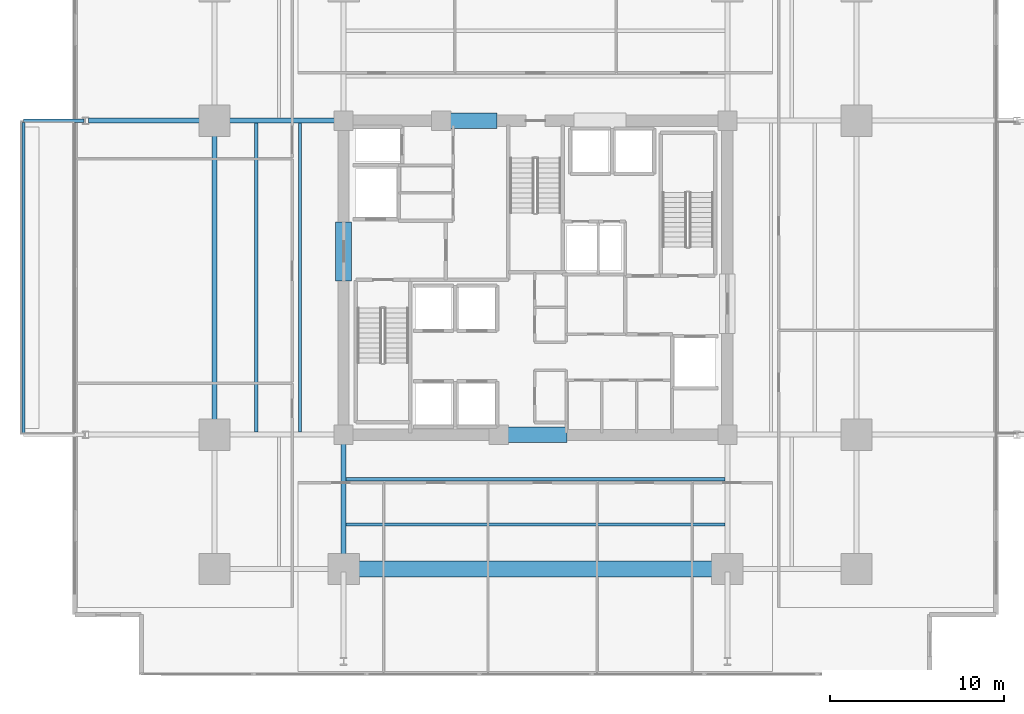
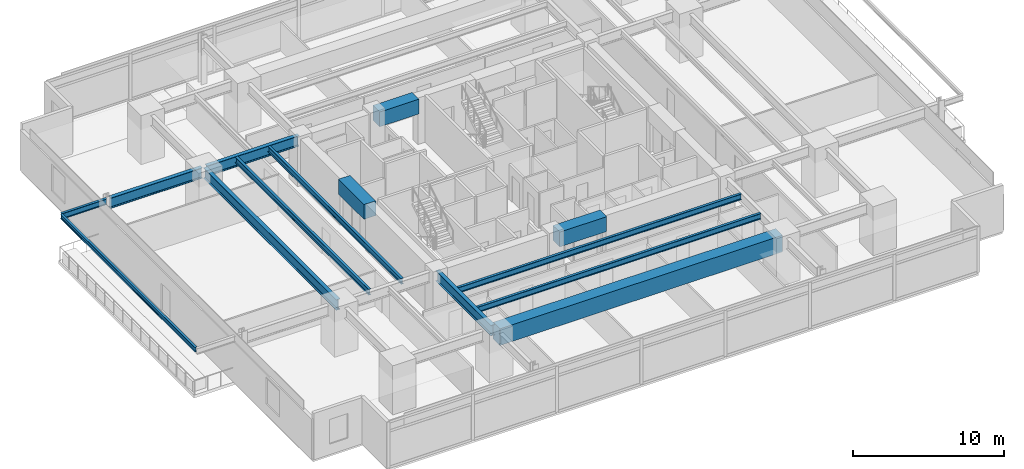
# One storey, part 5 of 22: 14 beams.
"""IFC4 building model written with IfcOpenShell, lengths in metres."""

from ifc_helpers import new_model, si_unit, direction, frame, origin, origin_2d, place, context, subcontext, project, spatial, rectangle, i_section, extrude, material, material_profile, profile_set, type_object, element, save


model = new_model("IFC4")

# Units and contexts
model_context = context("Model", 3, precision=1e-05, world=origin(), true_north=direction((0.0, 1.0)))
body_context = subcontext(model_context, "Body", "Model", "MODEL_VIEW")
ifc_project = project(units=[si_unit("LENGTHUNIT", "METRE"), si_unit("AREAUNIT", "SQUARE_METRE"), si_unit("VOLUMEUNIT", "CUBIC_METRE"), si_unit("PLANEANGLEUNIT", "RADIAN"), si_unit("MASSUNIT", "GRAM", prefix="KILO")], contexts=[model_context])

# Site, building, storey
site_placement = place(None, origin())
site = spatial("IfcSite", under=ifc_project, at=site_placement, CompositionType="ELEMENT")
building_placement = place(site_placement, origin())
building = spatial("IfcBuilding", under=site, at=building_placement, Name="Kovane Verandah Tower", CompositionType="ELEMENT")
storey_placement = place(building_placement, frame((0.0, 0.0, 99.60009765625)))
storey = spatial("IfcBuildingStorey", under=building, at=storey_placement, Name="L23", CompositionType="ELEMENT", Elevation=99.60009765625)

# Beams
ifc_material_1 = material(Name="Concrete C80/95", Category="concrete")
ifc_material_profile_1 = material_profile(ifc_material_1, rectangle(XDim=0.89990234375, YDim=1.199951171875, at=origin_2d()), Name="RCB900x1200")
ifc_profile_set_1 = profile_set([ifc_material_profile_1], Name="Concrete C80/95")
beam_type_1 = type_object("IfcBeamType", Name="BM-LINTEL-900x1200", PredefinedType="LINTEL", material=ifc_profile_set_1)
beam_1_placement = place(storey_placement, frame((38.199951171875, 18.5, 3.159912109375), z_axis=(1.0, 0.0, 0.0), x_axis=(0.0, 1.0, 0.0)))
element("IfcBeam", 1, at=beam_1_placement, inside=storey, type_object=beam_type_1, Name="L23 Core Coupling Lintel CL-S", PredefinedType="LINTEL", context=body_context, shape_type="SweptSolid", body=[
    extrude(rectangle(XDim=0.89990234375, YDim=1.199951171875, at=origin_2d()), origin(), (0.0, 0.0, 1.0), 3.60009765625),
])
beam_2_placement = place(storey_placement, frame((34.800048828125, 36.5, 3.159912109375), z_axis=(1.0, 0.0, 0.0), x_axis=(0.0, 1.0, 0.0)))
element("IfcBeam", 2, at=beam_2_placement, inside=storey, type_object=beam_type_1, Name="L23 Core Coupling Lintel CL-N1", PredefinedType="LINTEL", context=body_context, shape_type="SweptSolid", body=[
    extrude(rectangle(XDim=0.89990234375, YDim=1.199951171875, at=origin_2d()), origin(), (0.0, 0.0, 1.0), 3.0),
])
beam_3_placement = place(storey_placement, frame((29.0, 27.300048828125, 3.159912109375), z_axis=(0.0, 1.0, 0.0), x_axis=(-1.0, 0.0, 0.0)))
element("IfcBeam", 3, at=beam_3_placement, inside=storey, type_object=beam_type_1, Name="L23 Core Coupling Lintel CL-W", PredefinedType="LINTEL", context=body_context, shape_type="SweptSolid", body=[
    extrude(rectangle(XDim=0.89990234375, YDim=1.199951171875, at=origin_2d()), origin(), (0.0, 0.0, 1.0), 3.39990234375),
])
ifc_material_profile_2 = material_profile(ifc_material_1, rectangle(XDim=0.89990234375, YDim=1.35009765625, at=origin_2d()), Name="RCB900x1350")
ifc_profile_set_2 = profile_set([ifc_material_profile_2], Name="Concrete C80/95")
beam_type_2 = type_object("IfcBeamType", Name="BM-TR-900x1350", PredefinedType="BEAM", material=ifc_profile_set_2)
beam_4_placement = place(storey_placement, frame((29.179931640625, 10.800048828125, 3.0849609375), z_axis=(1.0, 0.0, 0.0), x_axis=(0.0, 1.0, 0.0)))
element("IfcBeam", 4, at=beam_4_placement, inside=storey, type_object=beam_type_2, Name="L23 Primary Tower Girder G-RS2", PredefinedType="BEAM", context=body_context, shape_type="SweptSolid", body=[
    extrude(rectangle(XDim=0.89990234375, YDim=1.35009765625, at=origin_2d()), origin(), (0.0, 0.0, 1.0), 21.64013671875),
])
ifc_material_2 = material(Name="Steel S355", Category="steel")
ifc_material_profile_3 = material_profile(ifc_material_2, i_section(OverallWidth=0.293701171875, OverallDepth=0.850830078125, WebThickness=0.01611328125, FlangeThickness=0.02685546875, FilletRadius=0.017822265625, at=origin_2d()), Name="UB838x292x226")
ifc_profile_set_3 = profile_set([ifc_material_profile_3], Name="Steel S355")
beam_type_3 = type_object("IfcBeamType", Name="BM-UB838x226", PredefinedType="BEAM", material=ifc_profile_set_3)
beam_5_placement = place(storey_placement, frame((21.60009765625, 18.679931640625, 3.33447265625), z_axis=(0.0, 1.0, 0.0), x_axis=(-1.0, 0.0, 0.0)))
element("IfcBeam", 5, at=beam_5_placement, inside=storey, type_object=beam_type_3, Name="L23 Primary Tower Girder G-RW2", PredefinedType="BEAM", context=body_context, shape_type="SweptSolid", body=[
    extrude(i_section(OverallWidth=0.293701171875, OverallDepth=0.850830078125, WebThickness=0.01611328125, FlangeThickness=0.02685546875, FilletRadius=0.017822265625, at=origin_2d()), origin(), (0.0, 0.0, 1.0), 17.64013671875),
])
beam_6_placement = place(storey_placement, frame((28.820068359375, 36.5, 3.33447265625), z_axis=(-1.0, 0.0, 0.0), x_axis=(0.0, -1.0, 0.0)))
element("IfcBeam", 6, at=beam_6_placement, inside=storey, type_object=beam_type_3, Name="L23 Primary Tower Girder G-W2", PredefinedType="BEAM", context=body_context, shape_type="SweptSolid", body=[
    extrude(i_section(OverallWidth=0.293701171875, OverallDepth=0.850830078125, WebThickness=0.01611328125, FlangeThickness=0.02685546875, FilletRadius=0.017822265625, at=origin_2d()), origin(), (0.0, 0.0, 1.0), 7.0400390625),
])
beam_7_placement = place(storey_placement, frame((29.0, 18.320068359375, 3.33447265625), z_axis=(0.0, -1.0, 0.0), x_axis=(1.0, 0.0, 0.0)))
element("IfcBeam", 7, at=beam_7_placement, inside=storey, type_object=beam_type_3, Name="L23 Primary Tower Girder G-S1", PredefinedType="BEAM", context=body_context, shape_type="SweptSolid", body=[
    extrude(i_section(OverallWidth=0.293701171875, OverallDepth=0.850830078125, WebThickness=0.01611328125, FlangeThickness=0.02685546875, FilletRadius=0.017822265625, at=origin_2d()), origin(), (0.0, 0.0, 1.0), 7.340087890625),
])
beam_8_placement = place(storey_placement, frame((21.419921875, 36.5, 3.33447265625), z_axis=(-1.0, 0.0, 0.0), x_axis=(0.0, -1.0, 0.0)))
element("IfcBeam", 8, at=beam_8_placement, inside=storey, type_object=beam_type_3, Name="L23 Primary Tower Girder G-VW2", PredefinedType="BEAM", context=body_context, shape_type="SweptSolid", body=[
    extrude(i_section(OverallWidth=0.293701171875, OverallDepth=0.850830078125, WebThickness=0.01611328125, FlangeThickness=0.02685546875, FilletRadius=0.017822265625, at=origin_2d()), origin(), (0.0, 0.0, 1.0), 7.0400390625),
])
ifc_material_profile_4 = material_profile(ifc_material_2, i_section(OverallWidth=0.19287109375, OverallDepth=0.46728515625, WebThickness=0.011474609375, FlangeThickness=0.01953125, FilletRadius=0.01025390625, at=origin_2d()), Name="UB457x191x98")
ifc_profile_set_4 = profile_set([ifc_material_profile_4], Name="Steel S355")
beam_type_4 = type_object("IfcBeamType", Name="JST-UB457x98", PredefinedType="JOIST", material=ifc_profile_set_4)
for number, where, z_axis, x_axis, name in (
    (9, (29.14501953125, 13.35009765625, 3.5263671875), (1.0, 0.0, 0.0), (0.0, 1.0, 0.0), "L23 Secondary Composite Joist J-S1"),
    (10, (29.14501953125, 15.949951171875, 3.5263671875), (1.0, 0.0, 0.0), (0.0, 1.0, 0.0), "L23 Secondary Composite Joist J-S2"),
):
    element("IfcBeam", number, at=place(storey_placement, frame(where, z_axis=z_axis, x_axis=x_axis)), inside=storey, type_object=beam_type_4, Name=name, PredefinedType="JOIST", context=body_context, shape_type="SweptSolid", body=[
        extrude(i_section(OverallWidth=0.19287109375, OverallDepth=0.46728515625, WebThickness=0.011474609375, FlangeThickness=0.01953125, FilletRadius=0.01025390625, at=origin_2d()), origin(), (0.0, 0.0, 1.0), 21.7099609375),
    ])
for number, where, z_axis, x_axis, name in (
    (11, (24.0, 18.64501953125, 3.5263671875), (0.0, 1.0, 0.0), (-1.0, 0.0, 0.0), "L23 Secondary Composite Joist J-W1"),
    (12, (26.5, 18.64501953125, 3.5263671875), (0.0, 1.0, 0.0), (-1.0, 0.0, 0.0), "L23 Secondary Composite Joist J-W2"),
):
    element("IfcBeam", number, at=place(storey_placement, frame(where, z_axis=z_axis, x_axis=x_axis)), inside=storey, type_object=beam_type_4, Name=name, PredefinedType="JOIST", context=body_context, shape_type="SweptSolid", body=[
        extrude(i_section(OverallWidth=0.19287109375, OverallDepth=0.46728515625, WebThickness=0.011474609375, FlangeThickness=0.01953125, FilletRadius=0.01025390625, at=origin_2d()), origin(), (0.0, 0.0, 1.0), 17.7099609375),
    ])
beam_9_placement = place(storey_placement, frame((14.1201171875, 36.5, 3.5263671875), z_axis=(-1.0, 0.0, 0.0), x_axis=(0.0, -1.0, 0.0)))
element("IfcBeam", 13, at=beam_9_placement, inside=storey, type_object=beam_type_4, Name="L23 West Planter Girder 2", PredefinedType="JOIST", context=body_context, shape_type="SweptSolid", body=[
    extrude(i_section(OverallWidth=0.19287109375, OverallDepth=0.46728515625, WebThickness=0.011474609375, FlangeThickness=0.01953125, FilletRadius=0.01025390625, at=origin_2d()), origin(), (0.0, 0.0, 1.0), 3.46875),
])
ifc_material_profile_5 = material_profile(ifc_material_2, i_section(OverallWidth=0.173095703125, OverallDepth=0.36328125, WebThickness=0.009033203125, FlangeThickness=0.015625, FilletRadius=0.01025390625, at=origin_2d()), Name="UB356x171x67")
ifc_profile_set_5 = profile_set([ifc_material_profile_5], Name="Steel S355")
beam_type_5 = type_object("IfcBeamType", Name="SPD-UB356x67", PredefinedType="USERDEFINED", material=ifc_profile_set_5)
beam_10_placement = place(storey_placement, frame((10.6513671875, 18.594482421875, 3.578125), z_axis=(0.0, 1.0, 0.0), x_axis=(-1.0, 0.0, 0.0)))
element("IfcBeam", 14, at=beam_10_placement, inside=storey, type_object=beam_type_5, Name="L23 West Planter Edge Spandrel", ObjectType="SPANDREL", PredefinedType="USERDEFINED", context=body_context, shape_type="SweptSolid", body=[
    extrude(i_section(OverallWidth=0.173095703125, OverallDepth=0.36328125, WebThickness=0.009033203125, FlangeThickness=0.015625, FilletRadius=0.01025390625, at=origin_2d()), origin(), (0.0, 0.0, 1.0), 17.81103515625),
])

save(model, "model.ifc")
